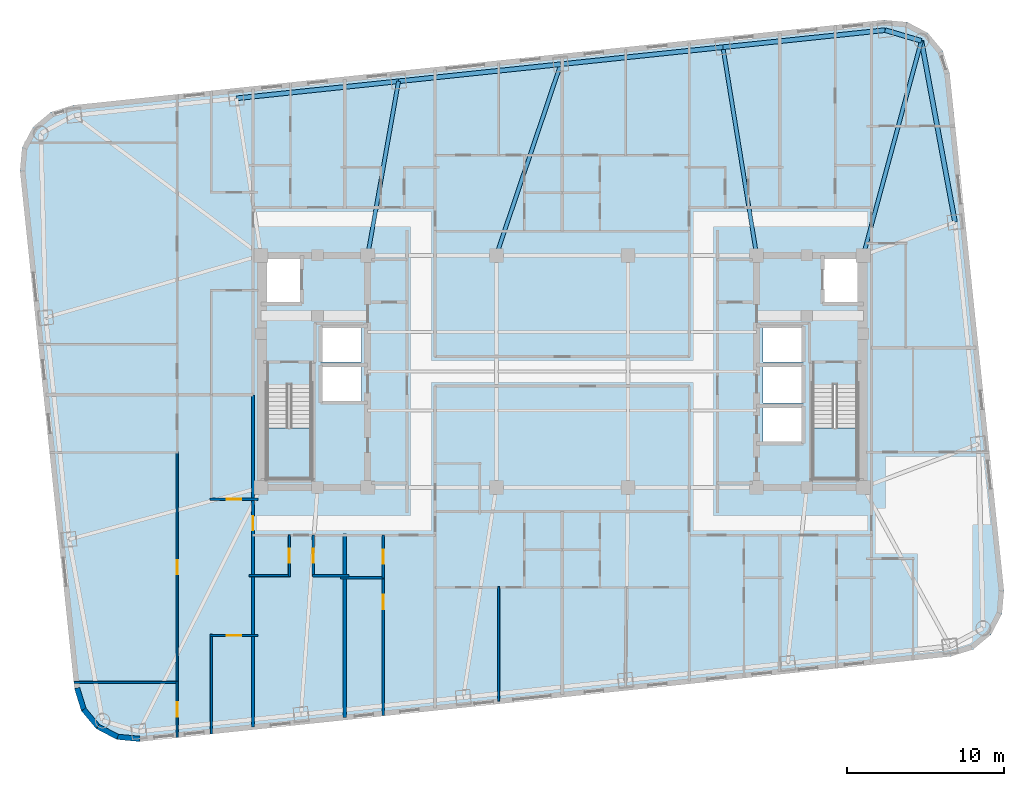
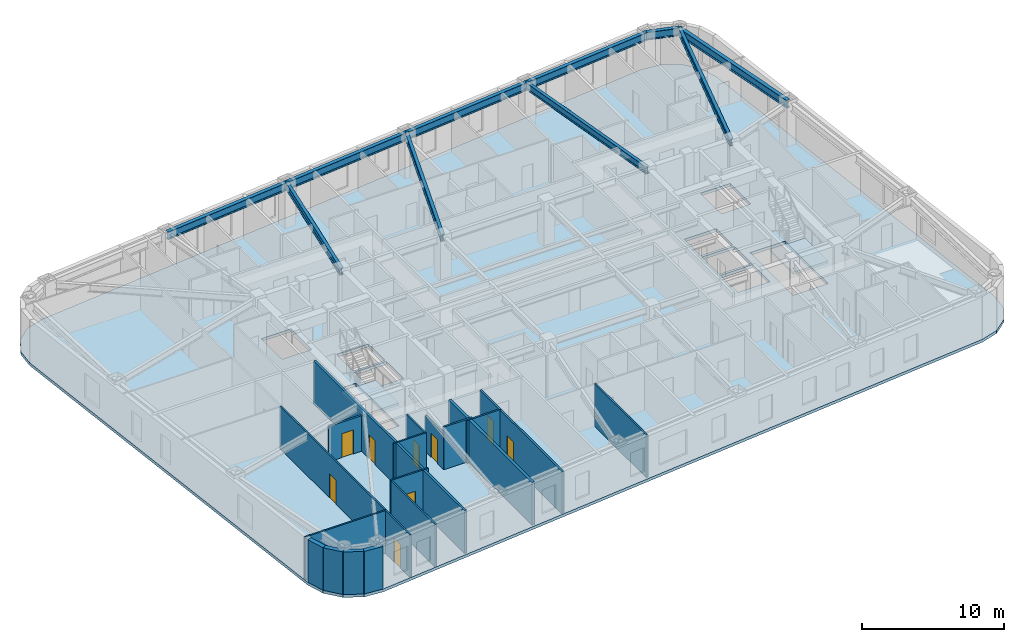
# One storey, part 2 of 12: 20 walls, 10 beams, 9 doors, 3 slabs, 9 openings, 2 elements without a shape of their own.
"""IFC4 building model written with IfcOpenShell, lengths in metres."""

import ifcopenshell
import ifcopenshell.guid

model = None  # the IFC model being written
_history = None  # IfcOwnerHistory: only IFC2X3 demands one
_inside = {}  # id of a spatial element -> (the spatial element, [elements in it])
_under = {}  # id of a project, library or spatial element -> (it, [spatial elements below it])
_declared = {}  # id of a project -> (the project, [libraries it declares])
_typed = {}  # id of a type object -> (the type object, [elements of that type])
_made_of = {}  # id of a material, layer set ... -> (it, [elements and type objects made of it])


def new_model(schema):
    """Start an empty IFC model of exactly this schema.

    Asked for "IFC4X3", IfcOpenShell would pick the latest addendum, in which some entities
    have other attributes; the version numbers below select the first issue.
    IFC2X3 requires an IfcOwnerHistory on every rooted entity: one is made here for all.
    """
    global model, _history
    if schema == "IFC4X3":
        model = ifcopenshell.file(schema_version=(4, 3, 0, 0))
    else:
        model = ifcopenshell.file(schema=schema)
    _inside.clear()
    _under.clear()
    _declared.clear()
    _typed.clear()
    _made_of.clear()
    _history = None
    if model.schema == "IFC2X3":
        org = make("IfcOrganization", Name="unknown")
        user = make(
            "IfcPersonAndOrganization",
            ThePerson=make("IfcPerson", FamilyName="unknown"),
            TheOrganization=org,
        )
        app = make(
            "IfcApplication",
            ApplicationDeveloper=org,
            Version="unknown",
            ApplicationFullName="unknown",
            ApplicationIdentifier="unknown",
        )
        _history = make(
            "IfcOwnerHistory",
            OwningUser=user,
            OwningApplication=app,
            ChangeAction="ADDED",
            CreationDate=0,
        )
    return model


def make(cls, **values):
    """One entity of the class cls with the attributes given. An attribute that is None is left unset."""
    return model.create_entity(
        cls, **{name: value for name, value in values.items() if value is not None}
    )


def rooted(cls, **values):
    """An entity with a GlobalId (a new one), such as an element, a storey or a relation."""
    return make(cls, GlobalId=ifcopenshell.guid.new(), OwnerHistory=_history, **values)


def si_unit(unit_type, name, prefix=None):
    """IfcSIUnit, for example si_unit("LENGTHUNIT", "METRE", prefix="MILLI")."""
    return make("IfcSIUnit", UnitType=unit_type, Prefix=prefix, Name=name)


def assignment(units):
    """IfcUnitAssignment: the units of a project."""
    return None if units is None else make("IfcUnitAssignment", Units=units)


def point(xyz):
    """IfcCartesianPoint."""
    return None if xyz is None else make("IfcCartesianPoint", Coordinates=xyz)


def direction(xyz):
    """IfcDirection."""
    return None if xyz is None else make("IfcDirection", DirectionRatios=xyz)


def frame(location, z_axis=None, x_axis=None):
    """IfcAxis2Placement3D, a coordinate frame: its origin and axes. An axis left out is left unset."""
    return make(
        "IfcAxis2Placement3D",
        Location=point(location),
        Axis=direction(z_axis),
        RefDirection=direction(x_axis),
    )


def frame_2d(location, x_axis=None):
    """IfcAxis2Placement2D, a coordinate frame in the plane: its origin and x axis."""
    return make(
        "IfcAxis2Placement2D", Location=point(location), RefDirection=direction(x_axis)
    )


def origin():
    """The frame at (0, 0, 0) with its axes left unset."""
    return frame((0.0, 0.0, 0.0))


def origin_2d():
    """The frame at (0, 0) in the plane with its x axis left unset."""
    return frame_2d((0.0, 0.0))


def place(relative_to, where):
    """IfcLocalPlacement: puts the frame where relative to a parent placement (None: the world)."""
    return make(
        "IfcLocalPlacement", PlacementRelTo=relative_to, RelativePlacement=where
    )


def context(
    kind, dimensions, precision=None, world=None, true_north=None, identifier=None
):
    """IfcGeometricRepresentationContext, for example the 3D "Model" context."""
    return make(
        "IfcGeometricRepresentationContext",
        ContextIdentifier=identifier,
        ContextType=kind,
        CoordinateSpaceDimension=dimensions,
        Precision=precision,
        WorldCoordinateSystem=world,
        TrueNorth=true_north,
    )


def subcontext(parent, identifier, kind, view, scale=None):
    """IfcGeometricRepresentationSubContext, for example "Body" below "Model"."""
    return make(
        "IfcGeometricRepresentationSubContext",
        ContextIdentifier=identifier,
        ContextType=kind,
        ParentContext=parent,
        TargetScale=scale,
        TargetView=view,
    )


def project(units=None, contexts=None):
    """IfcProject with its units and contexts."""
    return rooted(
        "IfcProject",
        Name="project",
        RepresentationContexts=contexts,
        UnitsInContext=assignment(units),
    )


def spatial(cls, under=None, at=None, **own):
    """A site, building, storey or space (cls), placed at a placement, below another one or the project."""
    s = rooted(cls, ObjectPlacement=at, **own)
    if under is not None:
        _under.setdefault(under.id(), (under, []))[1].append(s)
    return s


def polyline(points):
    """IfcPolyline through the points."""
    return make("IfcPolyline", Points=[point(p) for p in points])


def profile(cls, at=None, kind="AREA", **sizes):
    """A parametric profile (cls). Its sizes go by their IFC names, for example OverallWidth=200.0."""
    return make(cls, ProfileType=kind, Position=at, **sizes)


def rectangle(**sizes):
    """IfcRectangleProfileDef."""
    return profile("IfcRectangleProfileDef", **sizes)


def i_section(**sizes):
    """IfcIShapeProfileDef."""
    return profile("IfcIShapeProfileDef", **sizes)


def outline(outer, holes=None, kind="AREA"):
    """IfcArbitraryClosedProfileDef: a profile drawn as a closed curve; with holes, ...WithVoids."""
    if holes is None:
        return make("IfcArbitraryClosedProfileDef", ProfileType=kind, OuterCurve=outer)
    return make(
        "IfcArbitraryProfileDefWithVoids",
        ProfileType=kind,
        OuterCurve=outer,
        InnerCurves=holes,
    )


def extrude(swept, where, along, depth):
    """IfcExtrudedAreaSolid: the profile swept, set in the frame where, extruded along a direction by depth."""
    return make(
        "IfcExtrudedAreaSolid",
        SweptArea=swept,
        Position=where,
        ExtrudedDirection=direction(along),
        Depth=depth,
    )


def shape(context_of_items, identifier, shape_type, items):
    """IfcShapeRepresentation: the items that make up one representation, for example the "Body"."""
    return make(
        "IfcShapeRepresentation",
        ContextOfItems=context_of_items,
        RepresentationIdentifier=identifier,
        RepresentationType=shape_type,
        Items=items,
    )


def material(Name=None, Category=None):
    """IfcMaterial."""
    return make("IfcMaterial", Name=Name, Category=Category)


def layer(
    of_material, thickness, ventilated=None, Name=None, Category=None, Priority=None
):
    """IfcMaterialLayer: one layer of a wall or slab, of a material (None: an air gap)."""
    return make(
        "IfcMaterialLayer",
        Material=of_material,
        LayerThickness=thickness,
        IsVentilated=ventilated,
        Name=Name,
        Category=Category,
        Priority=Priority,
    )


def layer_set(layers, Name=None):
    """IfcMaterialLayerSet."""
    return make("IfcMaterialLayerSet", MaterialLayers=layers, LayerSetName=Name)


def material_profile(
    of_material, cross_section, Name=None, Category=None, Priority=None
):
    """IfcMaterialProfile: a cross section and its material."""
    return make(
        "IfcMaterialProfile",
        Name=Name,
        Material=of_material,
        Profile=cross_section,
        Priority=Priority,
        Category=Category,
    )


def profile_set(profiles, Name=None, composite=None):
    """IfcMaterialProfileSet."""
    return make(
        "IfcMaterialProfileSet",
        Name=Name,
        MaterialProfiles=profiles,
        CompositeProfile=composite,
    )


def made_of(thing, what):
    """Note that an element or type object is made of a material, layer set ...; save() writes the relation."""
    if what is not None:
        _made_of.setdefault(what.id(), (what, []))[1].append(thing)
    return thing


def type_object(cls, material=None, **own):
    """A type object (cls), such as IfcWallType, which elements share."""
    return made_of(rooted(cls, **own), material)


def element(
    cls,
    number,
    at=None,
    inside=None,
    cuts=None,
    type_object=None,
    material=None,
    context=None,
    identifier="Body",
    shape_type=None,
    held_by="IfcProductDefinitionShape",
    body=None,
    shapes=None,
    **own,
):
    """One element of the class cls, such as IfcWall. Its Tag is "e" and its number.

    at: its placement. inside: the storey or other place that contains it. cuts: it is an
    opening in that element (IfcRelVoidsElement). A single representation is given by context,
    identifier, shape_type and body (its items); several are given by shapes. held_by: the class
    of the entity that holds the representations. save() writes the other relations.
    """
    e = rooted(cls, Tag="e%d" % number, ObjectPlacement=at, **own)
    if body is not None:
        shapes = [shape(context, identifier, shape_type, body)]
    if shapes is not None:
        e.Representation = make(held_by, Representations=shapes)
    if inside is not None:
        _inside.setdefault(inside.id(), (inside, []))[1].append(e)
    if cuts is not None:
        rooted(
            "IfcRelVoidsElement", RelatingBuildingElement=cuts, RelatedOpeningElement=e
        )
    if type_object is not None:
        _typed.setdefault(type_object.id(), (type_object, []))[1].append(e)
    return made_of(e, material)


def fill(opening, filler):
    """IfcRelFillsElement: the door or window that sits in an opening."""
    return rooted(
        "IfcRelFillsElement",
        RelatingOpeningElement=opening,
        RelatedBuildingElement=filler,
    )


def aggregate(whole, parts):
    """IfcRelAggregates: a whole, such as a stair, and the parts it consists of."""
    return rooted("IfcRelAggregates", RelatingObject=whole, RelatedObjects=parts)


def save(model, path):
    """Write the relations noted so far, then the file.

    IfcRelAggregates (storeys below a building ...), IfcRelContainedInSpatialStructure (elements
    in a storey), IfcRelDefinesByType, IfcRelAssociatesMaterial and IfcRelDeclares: one each for
    every whole, place, type object, material and project.
    """
    for whole, parts in _under.values():
        aggregate(whole, parts)
    for where, things in _inside.values():
        rooted(
            "IfcRelContainedInSpatialStructure",
            RelatedElements=things,
            RelatingStructure=where,
        )
    for kind, things in _typed.values():
        rooted("IfcRelDefinesByType", RelatedObjects=things, RelatingType=kind)
    for what, things in _made_of.values():
        rooted("IfcRelAssociatesMaterial", RelatedObjects=things, RelatingMaterial=what)
    for by, libraries in _declared.values():
        rooted("IfcRelDeclares", RelatingContext=by, RelatedDefinitions=libraries)
    model.write(path)


model = new_model("IFC4")

# Units and contexts
model_context = context("Model", 3, precision=1e-05, world=origin(), true_north=direction((0.0, 1.0)))
body_context = subcontext(model_context, "Body", "Model", "MODEL_VIEW")
ifc_project = project(units=[si_unit("LENGTHUNIT", "METRE"), si_unit("AREAUNIT", "SQUARE_METRE"), si_unit("VOLUMEUNIT", "CUBIC_METRE"), si_unit("PLANEANGLEUNIT", "RADIAN"), si_unit("MASSUNIT", "GRAM", prefix="KILO")], contexts=[model_context])

# Site, building, storey
site_placement = place(None, origin())
site = spatial("IfcSite", under=ifc_project, at=site_placement, CompositionType="ELEMENT")
building_placement = place(site_placement, origin())
building = spatial("IfcBuilding", under=site, at=building_placement, Name="Voryun Gate Residences", CompositionType="ELEMENT")
storey_placement = place(building_placement, frame((0.0, 0.0, 159.89990234375)))
storey = spatial("IfcBuildingStorey", under=building, at=storey_placement, Name="L39", CompositionType="ELEMENT", Elevation=159.89990234375)

# Beams
ifc_material_1 = material(Name="Steel SM355", Category="steel")
ifc_material_profile_1 = material_profile(ifc_material_1, i_section(OverallWidth=0.300048828125, OverallDepth=0.679931640625, WebThickness=0.013916015625, FlangeThickness=0.02490234375, FilletRadius=0.01806640625, at=origin_2d()), Name="H-680x300x14x25")
ifc_profile_set_1 = profile_set([ifc_material_profile_1], Name="Steel SM355")
beam_type_1 = type_object("IfcBeamType", Name="BM_EXO_SPANDREL_M", PredefinedType="SPANDREL", material=ifc_profile_set_1)
beam_1_placement = place(storey_placement, frame((25.047119140625, 9.51806640625, 3.31005859375), z_axis=(-0.182267768769, 0.983248931079, 0.0), x_axis=(-0.983248931079, -0.182267768769, 0.0)))
element("IfcBeam", 1, at=beam_1_placement, inside=storey, type_object=beam_type_1, Name="BM-L39-SPAND-09", PredefinedType="SPANDREL", context=body_context, shape_type="SweptSolid", body=[
    extrude(i_section(OverallWidth=0.300048828125, OverallDepth=0.679931640625, WebThickness=0.013916015625, FlangeThickness=0.02490234375, FilletRadius=0.01806640625, at=origin_2d()), origin(), (0.0, 0.0, 1.0), 11.753662109375),
])
beam_2_placement = place(storey_placement, frame((22.90478515625, 21.074951171875, 3.31005859375), z_axis=(-0.958843048967, 0.283936625758, 0.0), x_axis=(-0.283936625758, -0.958843048967, 0.0)))
element("IfcBeam", 2, at=beam_2_placement, inside=storey, type_object=beam_type_1, Name="BM-L39-SPAND-10", PredefinedType="SPANDREL", context=body_context, shape_type="SweptSolid", body=[
    extrude(i_section(OverallWidth=0.300048828125, OverallDepth=0.679931640625, WebThickness=0.013916015625, FlangeThickness=0.02490234375, FilletRadius=0.01806640625, at=origin_2d()), origin(), (0.0, 0.0, 1.0), 2.410888671875),
])
for number, where, z_axis, x_axis, name in (
    (3, (20.593017578125, 21.759521484375, 3.31005859375), (-0.994521263116, -0.104534478571, 0.0), (0.104534478571, -0.994521263116, 0.0), "BM-L39-SPAND-11"),
    (4, (10.25, 20.67236328125, 3.31005859375), (-0.99452370336, -0.10451125994, 0.0), (0.10451125994, -0.99452370336, 0.0), "BM-L39-SPAND-12"),
    (5, (-0.093017578125, 19.58544921875, 3.31005859375), (-0.994521263116, -0.104534478571, 0.0), (0.104534478571, -0.994521263116, 0.0), "BM-L39-SPAND-13"),
    (6, (-10.43603515625, 18.498291015625, 3.31005859375), (-0.994521263116, -0.104534478571, 0.0), (0.104534478571, -0.994521263116, 0.0), "BM-L39-SPAND-14"),
):
    element("IfcBeam", number, at=place(storey_placement, frame(where, z_axis=z_axis, x_axis=x_axis)), inside=storey, type_object=beam_type_1, Name=name, PredefinedType="SPANDREL", context=body_context, shape_type="SweptSolid", body=[
        extrude(i_section(OverallWidth=0.300048828125, OverallDepth=0.679931640625, WebThickness=0.013916015625, FlangeThickness=0.02490234375, FilletRadius=0.01806640625, at=origin_2d()), origin(), (0.0, 0.0, 1.0), 10.39990234375),
    ])
ifc_material_2 = material(Name="Steel SM355", Category="steel")
ifc_material_profile_2 = material_profile(ifc_material_2, i_section(OverallWidth=0.25, OverallDepth=0.60009765625, WebThickness=0.011962890625, FlangeThickness=0.02197265625, FilletRadius=0.01806640625, at=origin_2d()), Name="H-600x250x12x22")
ifc_profile_set_2 = profile_set([ifc_material_profile_2], Name="Steel SM355")
beam_type_2 = type_object("IfcBeamType", Name="BM_GIRD_600", PredefinedType="USERDEFINED", material=ifc_profile_set_2)
beam_3_placement = place(storey_placement, frame((19.199951171875, 7.39990234375, 3.35009765625), z_axis=(0.261492735838, 0.965205443988, 0.0), x_axis=(-0.965205443988, 0.261492735838, 0.0)))
element("IfcBeam", 7, at=beam_3_placement, inside=storey, type_object=beam_type_2, Name="BM-L39-RAD-CNE", ObjectType="GIRDER", PredefinedType="USERDEFINED", context=body_context, shape_type="SweptSolid", body=[
    extrude(i_section(OverallWidth=0.25, OverallDepth=0.60009765625, WebThickness=0.011962890625, FlangeThickness=0.02197265625, FilletRadius=0.01806640625, at=origin_2d()), origin(), (0.0, 0.0, 1.0), 14.16796875),
])
beam_4_placement = place(storey_placement, frame((12.39990234375, 7.39990234375, 3.35009765625), z_axis=(-0.159898055533, 0.987133532931, 0.0), x_axis=(-0.987133532931, -0.159898055533, 0.0)))
element("IfcBeam", 8, at=beam_4_placement, inside=storey, type_object=beam_type_2, Name="BM-L39-RAD-N2", ObjectType="GIRDER", PredefinedType="USERDEFINED", context=body_context, shape_type="SweptSolid", body=[
    extrude(i_section(OverallWidth=0.25, OverallDepth=0.60009765625, WebThickness=0.011962890625, FlangeThickness=0.02197265625, FilletRadius=0.01806640625, at=origin_2d()), origin(), (0.0, 0.0, 1.0), 13.445556640625),
])
beam_5_placement = place(storey_placement, frame((-4.199951171875, 7.39990234375, 3.35009765625), z_axis=(0.319381479956, 0.947626229197, 0.0), x_axis=(-0.947626229197, 0.319381479956, 0.0)))
element("IfcBeam", 9, at=beam_5_placement, inside=storey, type_object=beam_type_2, Name="BM-L39-RAD-N3", ObjectType="GIRDER", PredefinedType="USERDEFINED", context=body_context, shape_type="SweptSolid", body=[
    extrude(i_section(OverallWidth=0.25, OverallDepth=0.60009765625, WebThickness=0.011962890625, FlangeThickness=0.02197265625, FilletRadius=0.01806640625, at=origin_2d()), origin(), (0.0, 0.0, 1.0), 12.859130859375),
])
beam_6_placement = place(storey_placement, frame((-12.39990234375, 7.39990234375, 3.35009765625), z_axis=(0.174243764839, 0.984702549207, 0.0), x_axis=(-0.984702549207, 0.174243764839, 0.0)))
element("IfcBeam", 10, at=beam_6_placement, inside=storey, type_object=beam_type_2, Name="BM-L39-RAD-N4", ObjectType="GIRDER", PredefinedType="USERDEFINED", context=body_context, shape_type="SweptSolid", body=[
    extrude(i_section(OverallWidth=0.25, OverallDepth=0.60009765625, WebThickness=0.011962890625, FlangeThickness=0.02197265625, FilletRadius=0.01806640625, at=origin_2d()), origin(), (0.0, 0.0, 1.0), 11.270751953125),
])

# Slab
ifc_material_3 = material(Name="Concrete C40/50", Category="concrete")
ifc_layer_1 = layer(ifc_material_3, 0.25, Name="SLB_RES_250")
ifc_layer_set_1 = layer_set([ifc_layer_1], Name="Concrete C40/50")
slab_type_1 = type_object("IfcSlabType", Name="SLB_RES_250", PredefinedType="FLOOR", material=ifc_layer_set_1)
slab_1_placement = place(storey_placement, frame((0.0, 0.0, -0.25)))
element("IfcSlab", 11, at=slab_1_placement, inside=storey, type_object=slab_type_1, Name="L39 Structural Floor Slab", PredefinedType="FLOOR", context=body_context, shape_type="SweptSolid", body=[
    extrude(outline(polyline([(-26.92529296875, -23.60595703125), (-28.401611328125, -23.47021484375), (-29.7138671875, -22.780029296875), (-30.661865234375, -21.639892578125), (-31.1015625, -20.22412109375), (-34.572021484375, 12.794189453125), (-34.436279296875, 14.2705078125), (-33.745849609375, 15.582763671875), (-32.60595703125, 16.53076171875), (-31.18994140625, 16.970458984375), (20.525146484375, 22.406005859375), (22.001708984375, 22.270263671875), (23.313720703125, 21.580078125), (24.261962890625, 20.43994140625), (24.70166015625, 19.02392578125), (28.171875, -13.994140625), (28.036376953125, -15.470458984375), (27.345947265625, -16.78271484375), (26.2060546875, -17.730712890625), (24.7900390625, -18.17041015625), (-26.92529296875, -23.60595703125)]), holes=[polyline([(-15.97509765625, -6.85009765625), (-15.97509765625, -0.840087890625), (-18.824951171875, -0.840087890625), (-18.824951171875, -6.85009765625), (-15.97509765625, -6.85009765625)]), polyline([(18.824951171875, -6.85009765625), (18.824951171875, -0.840087890625), (15.97509765625, -0.840087890625), (15.97509765625, -6.85009765625), (18.824951171875, -6.85009765625)]), polyline([(15.39990234375, -2.199951171875), (12.800048828125, -2.199951171875), (12.800048828125, -4.60009765625), (15.39990234375, -4.60009765625), (15.39990234375, -2.199951171875)]), polyline([(-12.800048828125, 0.39990234375), (-15.39990234375, 0.39990234375), (-15.39990234375, -2.0), (-12.800048828125, -2.0), (-12.800048828125, 0.39990234375)]), polyline([(15.39990234375, 0.39990234375), (12.800048828125, 0.39990234375), (12.800048828125, -2.0), (15.39990234375, -2.0), (15.39990234375, 0.39990234375)]), polyline([(-12.800048828125, 2.89990234375), (-15.39990234375, 2.89990234375), (-15.39990234375, 0.60009765625), (-12.800048828125, 0.60009765625), (-12.800048828125, 2.89990234375)]), polyline([(15.39990234375, 2.89990234375), (12.800048828125, 2.89990234375), (12.800048828125, 0.60009765625), (15.39990234375, 0.60009765625), (15.39990234375, 2.89990234375)]), polyline([(-16.60009765625, 4.300048828125), (-16.60009765625, 7.199951171875), (-19.0, 7.199951171875), (-19.0, 4.300048828125), (-16.60009765625, 4.300048828125)]), polyline([(19.0, 4.300048828125), (19.0, 7.199951171875), (16.60009765625, 7.199951171875), (16.60009765625, 4.300048828125), (19.0, 4.300048828125)])]), origin(), (0.0, 0.0, 1.0), 0.25),
])

# Stair, slab
ifc_material_4 = material(Name="Concrete C40/50", Category="concrete")
stair_type = type_object("IfcStairType", Name="STR_CORE_DOGLEG_1350", PredefinedType="HALF_TURN_STAIR", material=ifc_material_4)
stair_1_placement = place(storey_placement, origin())
stair_1 = element("IfcStair", 12, at=stair_1_placement, inside=storey, type_object=stair_type, Name="L39 Special Escape Stair ST-W1", PredefinedType="HALF_TURN_STAIR")
ifc_material_5 = material(Name="Concrete C40/50", Category="concrete")
ifc_layer_2 = layer(ifc_material_5, 0.199951171875, Name="SLB_STAIR_LANDING_200")
ifc_layer_set_2 = layer_set([ifc_layer_2], Name="Concrete C40/50")
slab_type_2 = type_object("IfcSlabType", Name="SLB_STAIR_LANDING_200", PredefinedType="LANDING", material=ifc_layer_set_2)
slab_2_placement = place(storey_placement, frame((0.0, 0.0, 1.75)))
slab_2 = element("IfcSlab", 13, at=slab_2_placement, type_object=slab_type_2, Name="ST-W1 landing 1", PredefinedType="LANDING", context=body_context, shape_type="SweptSolid", body=[
    extrude(outline(polyline([(-18.824951171875, -3.60009765625), (-18.824951171875, -6.85009765625), (-15.97509765625, -6.85009765625), (-15.97509765625, -3.60009765625), (-18.824951171875, -3.60009765625)])), origin(), (0.0, 0.0, 1.0), 0.2001953125),
])
aggregate(stair_1, [slab_2])

stair_2_placement = place(storey_placement, origin())
stair_2 = element("IfcStair", 14, at=stair_2_placement, inside=storey, type_object=stair_type, Name="L39 Special Escape Stair ST-E1", PredefinedType="HALF_TURN_STAIR")
slab_3_placement = place(storey_placement, frame((0.0, 0.0, 1.75)))
slab_3 = element("IfcSlab", 15, at=slab_3_placement, type_object=slab_type_2, Name="ST-E1 landing 1", PredefinedType="LANDING", context=body_context, shape_type="SweptSolid", body=[
    extrude(outline(polyline([(15.97509765625, -3.60009765625), (15.97509765625, -6.85009765625), (18.824951171875, -6.85009765625), (18.824951171875, -3.60009765625), (15.97509765625, -3.60009765625)])), origin(), (0.0, 0.0, 1.0), 0.2001953125),
])
aggregate(stair_2, [slab_3])

# Wall, opening, door
ifc_material_6 = material(Name="Gypsum acoustic fireboard")
ifc_layer_3 = layer(ifc_material_6, 0.179931640625, Name="W_CORR_RATED_180")
ifc_layer_set_3 = layer_set([ifc_layer_3], Name="Gypsum acoustic fireboard")
wall_type_1 = type_object("IfcWallType", Name="W_CORR_RATED_180", PredefinedType="PARTITIONING", material=ifc_layer_set_3)
wall_1_placement = place(storey_placement, frame((-19.719970703125, -22.677734375, 0.0), z_axis=(0.0, 0.0, 1.0), x_axis=(0.0, 1.0, 0.0)))
wall_1 = element("IfcWall", 16, at=wall_1_placement, inside=storey, type_object=wall_type_1, Name="Partition wall WP-L39-WCOR1", PredefinedType="PARTITIONING", context=body_context, shape_type="SweptSolid", body=[
    extrude(rectangle(XDim=21.177734375, YDim=0.179931640625, at=frame_2d((10.5888671875, 0.0))), origin(), (0.0, 0.0, 1.0), 3.650146484375),
])
opening_1_placement = place(wall_1_placement, frame((12.546875, 0.0, 0.0)))
opening_1 = element("IfcOpeningElement", 17, at=opening_1_placement, cuts=wall_1, Name="Opening D-INT-2", PredefinedType="OPENING", context=body_context, shape_type="SweptSolid", body=[
    extrude(rectangle(XDim=0.89990234375, YDim=2.050048828125, at=frame_2d((0.449951171875, 1.02490234375))), frame((0.0, 0.099853515625, 0.0), z_axis=(0.0, -1.0, 0.0), x_axis=(1.0, 0.0, 0.0)), (0.0, 0.0, 1.0), 0.199951171875),
])
ifc_material_7 = material(Name="Architectural oak veneer")
door_type_1 = type_object("IfcDoorType", Name="DR_INT_BATH_900", OperationType="NOTDEFINED", PredefinedType="DOOR", material=ifc_material_7)
door_1_placement = place(opening_1_placement, origin())
door_1 = element("IfcDoor", 18, at=door_1_placement, inside=storey, type_object=door_type_1, Name="Door DR-L39-WE1", OperationType="SINGLE_SWING_LEFT", OverallHeight=2.050048828125, OverallWidth=0.89990234375, PredefinedType="DOOR", context=body_context, shape_type="SweptSolid", body=[
    extrude(rectangle(XDim=0.89990234375, YDim=2.050048828125, at=frame_2d((0.449951171875, 1.02490234375))), frame((0.0, 0.02490234375, 0.0), z_axis=(0.0, -1.0, 0.0), x_axis=(1.0, 0.0, 0.0)), (0.0, 0.0, 1.0), 0.050048828125),
])
fill(opening_1, door_1)

# Walls
ifc_material_8 = material(Name="Charcoal terracotta masonry", Category="masonry")
ifc_layer_4 = layer(ifc_material_8, 0.340087890625, Name="W_EXT_TERRACOTTA_340")
ifc_layer_set_4 = layer_set([ifc_layer_4], Name="Charcoal terracotta masonry")
wall_type_2 = type_object("IfcWallType", Name="W_EXT_TERRACOTTA_340", PredefinedType="ELEMENTEDWALL", material=ifc_layer_set_4)
wall_2_placement = place(storey_placement, frame((-26.92626953125, -23.435302734375, 0.0), z_axis=(0.0, 0.0, 1.0), x_axis=(-0.995800460351, 0.091550222087, 0.0)))
element("IfcWall", 19, at=wall_2_placement, inside=storey, type_object=wall_type_2, Name="Exterior wall WEXT-L39-02", PredefinedType="ELEMENTEDWALL", context=body_context, shape_type="SweptSolid", body=[
    extrude(rectangle(XDim=1.43212890625, YDim=0.340087890625, at=frame_2d((0.716064453125, 0.0))), origin(), (0.0, 0.0, 1.0), 3.650146484375),
])
wall_3_placement = place(storey_placement, frame((-28.352294921875, -23.30419921875, 0.0), z_axis=(0.0, 0.0, 1.0), x_axis=(-0.884989312682, 0.465611336243, 0.0)))
element("IfcWall", 20, at=wall_3_placement, inside=storey, type_object=wall_type_2, Name="Exterior wall WEXT-L39-03", PredefinedType="ELEMENTEDWALL", context=body_context, shape_type="SweptSolid", body=[
    extrude(rectangle(XDim=1.415283203125, YDim=0.340087890625, at=frame_2d((0.70751953125, 0.0))), origin(), (0.0, 0.0, 1.0), 3.650146484375),
])
wall_4_placement = place(storey_placement, frame((-29.604736328125, -22.645263671875, 0.0), z_axis=(0.0, 0.0, 1.0), x_axis=(-0.639437361921, 0.768843196093, 0.0)))
element("IfcWall", 21, at=wall_4_placement, inside=storey, type_object=wall_type_2, Name="Exterior wall WEXT-L39-04", PredefinedType="ELEMENTEDWALL", context=body_context, shape_type="SweptSolid", body=[
    extrude(rectangle(XDim=1.4150390625, YDim=0.340087890625, at=frame_2d((0.70751953125, 0.0))), origin(), (0.0, 0.0, 1.0), 3.650146484375),
])
wall_5_placement = place(storey_placement, frame((-30.509521484375, -21.557373046875, 0.0), z_axis=(0.0, 0.0, 1.0), x_axis=(-0.296624409546, 0.9549942197, 0.0)))
element("IfcWall", 22, at=wall_5_placement, inside=storey, type_object=wall_type_2, Name="Exterior wall WEXT-L39-05", PredefinedType="ELEMENTEDWALL", context=body_context, shape_type="SweptSolid", body=[
    extrude(rectangle(XDim=1.43212890625, YDim=0.340087890625, at=frame_2d((0.716064453125, 0.0))), origin(), (0.0, 0.0, 1.0), 3.650146484375),
])
ifc_material_9 = material(Name="Concrete C40/50", Category="concrete")
ifc_layer_5 = layer(ifc_material_9, 0.219970703125, Name="W_PARTY_ACOUSTIC_220")
ifc_layer_set_5 = layer_set([ifc_layer_5], Name="Concrete C40/50")
wall_type_3 = type_object("IfcWallType", Name="W_PARTY_ACOUSTIC_220", PredefinedType="PARTITIONING", material=ifc_layer_set_5)
wall_6_placement = place(storey_placement, frame((-13.864990234375, -22.0625, 0.0), z_axis=(0.0, 0.0, 1.0), x_axis=(0.0, 1.0, 0.0)))
element("IfcWall", 23, at=wall_6_placement, inside=storey, type_object=wall_type_3, Name="Partition wall WP-L39-SPTY-1", PredefinedType="PARTITIONING", context=body_context, shape_type="SweptSolid", body=[
    extrude(rectangle(XDim=11.6923828125, YDim=0.219970703125, at=frame_2d((5.84619140625, 0.0))), origin(), (0.0, 0.0, 1.0), 3.650146484375),
])

# Wall, opening, door
ifc_material_10 = material(Name="Gypsum acoustic partition")
ifc_layer_6 = layer(ifc_material_10, 0.125, Name="W_UNIT_PART_125")
ifc_layer_set_6 = layer_set([ifc_layer_6], Name="Gypsum acoustic partition")
wall_type_4 = type_object("IfcWallType", Name="W_UNIT_PART_125", PredefinedType="PARTITIONING", material=ifc_layer_set_6)
wall_7_placement = place(storey_placement, frame((-17.39990234375, -13.080078125, 0.0), z_axis=(0.0, 0.0, 1.0), x_axis=(0.0, 1.0, 0.0)))
wall_7 = element("IfcWall", 24, at=wall_7_placement, inside=storey, type_object=wall_type_4, Name="Partition wall WP-L39-S1-CVK", PredefinedType="PARTITIONING", context=body_context, shape_type="SweptSolid", body=[
    extrude(rectangle(XDim=2.650146484375, YDim=0.125, at=frame_2d((1.3251953125, 0.0))), origin(), (0.0, 0.0, 1.0), 3.650146484375),
])
opening_2_placement = place(wall_7_placement, frame((0.875, 0.0, 0.0)))
opening_2 = element("IfcOpeningElement", 25, at=opening_2_placement, cuts=wall_7, Name="Opening D-INT-2", PredefinedType="OPENING", context=body_context, shape_type="SweptSolid", body=[
    extrude(rectangle(XDim=0.89990234375, YDim=2.050048828125, at=frame_2d((0.449951171875, 1.02490234375))), frame((0.0, 0.072509765625, 0.0), z_axis=(0.0, -1.0, 0.0), x_axis=(1.0, 0.0, 0.0)), (0.0, 0.0, 1.0), 0.14501953125),
])
door_2_placement = place(opening_2_placement, origin())
door_2 = element("IfcDoor", 26, at=door_2_placement, inside=storey, type_object=door_type_1, Name="Door DR-L39-S1-DK", OperationType="SINGLE_SWING_LEFT", OverallHeight=2.050048828125, OverallWidth=0.89990234375, PredefinedType="DOOR", context=body_context, shape_type="SweptSolid", body=[
    extrude(rectangle(XDim=0.89990234375, YDim=2.050048828125, at=frame_2d((0.449951171875, 1.02490234375))), frame((0.0, 0.02490234375, 0.0), z_axis=(0.0, -1.0, 0.0), x_axis=(1.0, 0.0, 0.0)), (0.0, 0.0, 1.0), 0.050048828125),
])
fill(opening_2, door_2)

# Walls
wall_8_placement = place(storey_placement, frame((-19.969970703125, -13.02001953125, 0.0), z_axis=(0.0, 0.0, 1.0), x_axis=(1.0, 0.0, 0.0)))
element("IfcWall", 27, at=wall_8_placement, inside=storey, type_object=wall_type_4, Name="Partition wall WP-L39-S1-CHK", PredefinedType="PARTITIONING", context=body_context, shape_type="SweptSolid", body=[
    extrude(rectangle(XDim=2.6298828125, YDim=0.125, at=frame_2d((1.31494140625, 0.0))), origin(), (0.0, 0.0, 1.0), 3.650146484375),
])
wall_9_placement = place(storey_placement, frame((-4.050048828125, -21.03076171875, 0.0), z_axis=(0.0, 0.0, 1.0), x_axis=(0.0, 1.0, 0.0)))
element("IfcWall", 28, at=wall_9_placement, inside=storey, type_object=wall_type_4, Name="Partition wall WP-L39-SC1-VBD", PredefinedType="PARTITIONING", context=body_context, shape_type="SweptSolid", body=[
    extrude(rectangle(XDim=7.290771484375, YDim=0.125, at=frame_2d((3.6455078125, 0.0))), origin(), (0.0, 0.0, 1.0), 3.650146484375),
])
wall_10_placement = place(storey_placement, frame((-31.122802734375, -19.8310546875, 0.0), z_axis=(0.0, 0.0, 1.0), x_axis=(1.0, 0.0, 0.0)))
element("IfcWall", 29, at=wall_10_placement, inside=storey, type_object=wall_type_4, Name="Partition wall WP-L39-W1-OH1", PredefinedType="PARTITIONING", context=body_context, shape_type="SweptSolid", body=[
    extrude(rectangle(XDim=6.65283203125, YDim=0.125, at=frame_2d((3.326416015625, 0.0))), origin(), (0.0, 0.0, 1.0), 3.650146484375),
])

# Wall, opening, door
wall_11_placement = place(storey_placement, frame((-24.550048828125, -23.336181640625, 0.0), z_axis=(0.0, 0.0, 1.0), x_axis=(0.0, 1.0, 0.0)))
wall_11 = element("IfcWall", 30, at=wall_11_placement, inside=storey, type_object=wall_type_4, Name="Partition wall WP-L39-W1-OVX1", PredefinedType="PARTITIONING", context=body_context, shape_type="SweptSolid", body=[
    extrude(rectangle(XDim=3.55517578125, YDim=0.125, at=frame_2d((1.777587890625, 0.0))), origin(), (0.0, 0.0, 1.0), 3.650146484375),
])
opening_3_placement = place(wall_11_placement, frame((1.32763671875, 0.0, 0.0)))
opening_3 = element("IfcOpeningElement", 31, at=opening_3_placement, cuts=wall_11, Name="Opening D-INT-2", PredefinedType="OPENING", context=body_context, shape_type="SweptSolid", body=[
    extrude(rectangle(XDim=0.89990234375, YDim=2.050048828125, at=frame_2d((0.449951171875, 1.02490234375))), frame((0.0, 0.072509765625, 0.0), z_axis=(0.0, -1.0, 0.0), x_axis=(1.0, 0.0, 0.0)), (0.0, 0.0, 1.0), 0.14501953125),
])
door_3_placement = place(opening_3_placement, origin())
door_3 = element("IfcDoor", 32, at=door_3_placement, inside=storey, type_object=door_type_1, Name="Door DR-L39-W1-DBD2", OperationType="SINGLE_SWING_LEFT", OverallHeight=2.050048828125, OverallWidth=0.89990234375, PredefinedType="DOOR", context=body_context, shape_type="SweptSolid", body=[
    extrude(rectangle(XDim=0.89990234375, YDim=2.050048828125, at=frame_2d((0.449951171875, 1.02490234375))), frame((0.0, 0.02490234375, 0.0), z_axis=(0.0, -1.0, 0.0), x_axis=(1.0, 0.0, 0.0)), (0.0, 0.0, 1.0), 0.050048828125),
])
fill(opening_3, door_3)

wall_12_placement = place(storey_placement, frame((-24.550048828125, -19.881103515625, 0.0), z_axis=(0.0, 0.0, 1.0), x_axis=(0.0, 1.0, 0.0)))
wall_12 = element("IfcWall", 33, at=wall_12_placement, inside=storey, type_object=wall_type_4, Name="Partition wall WP-L39-W1-OVX2", PredefinedType="PARTITIONING", context=body_context, shape_type="SweptSolid", body=[
    extrude(rectangle(XDim=14.760009765625, YDim=0.125, at=frame_2d((7.3798828125, 0.0))), origin(), (0.0, 0.0, 1.0), 3.650146484375),
])
opening_4_placement = place(wall_12_placement, frame((6.929931640625, 0.0, 0.0)))
opening_4 = element("IfcOpeningElement", 34, at=opening_4_placement, cuts=wall_12, Name="Opening D-INT-2", PredefinedType="OPENING", context=body_context, shape_type="SweptSolid", body=[
    extrude(rectangle(XDim=0.89990234375, YDim=2.050048828125, at=frame_2d((0.449951171875, 1.02490234375))), frame((0.0, 0.072509765625, 0.0), z_axis=(0.0, -1.0, 0.0), x_axis=(1.0, 0.0, 0.0)), (0.0, 0.0, 1.0), 0.14501953125),
])
door_4_placement = place(opening_4_placement, origin())
door_4 = element("IfcDoor", 35, at=door_4_placement, inside=storey, type_object=door_type_1, Name="Door DR-L39-W1-DSTD", OperationType="SINGLE_SWING_RIGHT", OverallHeight=2.050048828125, OverallWidth=0.89990234375, PredefinedType="DOOR", context=body_context, shape_type="SweptSolid", body=[
    extrude(rectangle(XDim=0.89990234375, YDim=2.050048828125, at=frame_2d((0.449951171875, 1.02490234375))), frame((0.0, 0.02490234375, 0.0), z_axis=(0.0, -1.0, 0.0), x_axis=(1.0, 0.0, 0.0)), (0.0, 0.0, 1.0), 0.050048828125),
])
fill(opening_4, door_4)

wall_13_placement = place(storey_placement, frame((-22.449951171875, -16.842041015625, 0.0), z_axis=(0.0, 0.0, 1.0), x_axis=(1.0, 0.0, 0.0)))
wall_13 = element("IfcWall", 36, at=wall_13_placement, inside=storey, type_object=wall_type_4, Name="Partition wall WP-L39-W1-IKA", PredefinedType="PARTITIONING", context=body_context, shape_type="SweptSolid", body=[
    extrude(rectangle(XDim=3.050048828125, YDim=0.125, at=frame_2d((1.52490234375, 0.0))), origin(), (0.0, 0.0, 1.0), 3.650146484375),
])
opening_5_placement = place(wall_13_placement, frame((1.050048828125, 0.0, 0.0)))
opening_5 = element("IfcOpeningElement", 37, at=opening_5_placement, cuts=wall_13, Name="Opening D-INT-1", PredefinedType="OPENING", context=body_context, shape_type="SweptSolid", body=[
    extrude(rectangle(XDim=0.949951171875, YDim=2.050048828125, at=frame_2d((0.47509765625, 1.02490234375))), frame((0.0, 0.072509765625, 0.0), z_axis=(0.0, -1.0, 0.0), x_axis=(1.0, 0.0, 0.0)), (0.0, 0.0, 1.0), 0.14501953125),
])
ifc_material_11 = material(Name="Architectural oak veneer")
door_type_2 = type_object("IfcDoorType", Name="DR_INT_ROOM_950", OperationType="NOTDEFINED", PredefinedType="DOOR", material=ifc_material_11)
door_5_placement = place(opening_5_placement, origin())
door_5 = element("IfcDoor", 38, at=door_5_placement, inside=storey, type_object=door_type_2, Name="Door DR-L39-W1-DK", OperationType="SINGLE_SWING_LEFT", OverallHeight=2.050048828125, OverallWidth=0.949951171875, PredefinedType="DOOR", context=body_context, shape_type="SweptSolid", body=[
    extrude(rectangle(XDim=0.949951171875, YDim=2.050048828125, at=frame_2d((0.47509765625, 1.02490234375))), frame((0.0, 0.02490234375, 0.0), z_axis=(0.0, -1.0, 0.0), x_axis=(1.0, 0.0, 0.0)), (0.0, 0.0, 1.0), 0.050048828125),
])
fill(opening_5, door_5)

# Wall
wall_14_placement = place(storey_placement, frame((-22.3701171875, -23.107177734375, 0.0), z_axis=(0.0, 0.0, 1.0), x_axis=(0.0, 1.0, 0.0)))
element("IfcWall", 39, at=wall_14_placement, inside=storey, type_object=wall_type_4, Name="Partition wall WP-L39-W1-VTA", PredefinedType="PARTITIONING", context=body_context, shape_type="SweptSolid", body=[
    extrude(rectangle(XDim=6.34521484375, YDim=0.125, at=frame_2d((3.172607421875, 0.0))), origin(), (0.0, 0.0, 1.0), 3.650146484375),
])

# Wall, opening, door
ifc_material_12 = material(Name="Gypsum moisture-resistant partition")
ifc_layer_7 = layer(ifc_material_12, 0.14990234375, Name="W_WET_PLUMB_150")
ifc_layer_set_7 = layer_set([ifc_layer_7], Name="Gypsum moisture-resistant partition")
wall_type_5 = type_object("IfcWallType", Name="W_WET_PLUMB_150", PredefinedType="PLUMBINGWALL", material=ifc_layer_set_7)
wall_15_placement = place(storey_placement, frame((-15.8720703125, -13.080078125, 0.0), z_axis=(0.0, 0.0, 1.0), x_axis=(0.0, 1.0, 0.0)))
wall_15 = element("IfcWall", 40, at=wall_15_placement, inside=storey, type_object=wall_type_5, Name="Partition wall WP-L39-S1-CVB", PredefinedType="PLUMBINGWALL", context=body_context, shape_type="SweptSolid", body=[
    extrude(rectangle(XDim=2.650146484375, YDim=0.14990234375, at=frame_2d((1.3251953125, 0.0))), origin(), (0.0, 0.0, 1.0), 3.0400390625),
])
opening_6_placement = place(wall_15_placement, frame((0.875, 0.0, 0.0)))
opening_6 = element("IfcOpeningElement", 41, at=opening_6_placement, cuts=wall_15, Name="Opening D-INT-2", PredefinedType="OPENING", context=body_context, shape_type="SweptSolid", body=[
    extrude(rectangle(XDim=0.89990234375, YDim=2.050048828125, at=frame_2d((0.449951171875, 1.02490234375))), frame((0.0, 0.0849609375, 0.0), z_axis=(0.0, -1.0, 0.0), x_axis=(1.0, 0.0, 0.0)), (0.0, 0.0, 1.0), 0.169921875),
])
door_6_placement = place(opening_6_placement, origin())
door_6 = element("IfcDoor", 42, at=door_6_placement, inside=storey, type_object=door_type_1, Name="Door DR-L39-S1-DB", OperationType="SINGLE_SWING_RIGHT", OverallHeight=2.050048828125, OverallWidth=0.89990234375, PredefinedType="DOOR", context=body_context, shape_type="SweptSolid", body=[
    extrude(rectangle(XDim=0.89990234375, YDim=2.050048828125, at=frame_2d((0.449951171875, 1.02490234375))), frame((0.0, 0.02490234375, 0.0), z_axis=(0.0, -1.0, 0.0), x_axis=(1.0, 0.0, 0.0)), (0.0, 0.0, 1.0), 0.050048828125),
])
fill(opening_6, door_6)

# Walls
wall_16_placement = place(storey_placement, frame((-15.931884765625, -13.02001953125, 0.0), z_axis=(0.0, 0.0, 1.0), x_axis=(1.0, 0.0, 0.0)))
element("IfcWall", 43, at=wall_16_placement, inside=storey, type_object=wall_type_5, Name="Partition wall WP-L39-S1-CHB", PredefinedType="PLUMBINGWALL", context=body_context, shape_type="SweptSolid", body=[
    extrude(rectangle(XDim=2.326904296875, YDim=0.14990234375, at=frame_2d((1.16357421875, 0.0))), origin(), (0.0, 0.0, 1.0), 3.650146484375),
])
wall_17_placement = place(storey_placement, frame((-14.125, -13.14990234375, 0.0), z_axis=(0.0, 0.0, 1.0), x_axis=(1.0, 0.0, 0.0)))
element("IfcWall", 44, at=wall_17_placement, inside=storey, type_object=wall_type_5, Name="Partition wall WP-L39-S2-SKB", PredefinedType="PLUMBINGWALL", context=body_context, shape_type="SweptSolid", body=[
    extrude(rectangle(XDim=2.802001953125, YDim=0.14990234375, at=frame_2d((1.40087890625, 0.0))), origin(), (0.0, 0.0, 1.0), 3.650146484375),
])

# Wall, opening, door
wall_18_placement = place(storey_placement, frame((-11.403076171875, -21.954345703125, 0.0), z_axis=(0.0, 0.0, 1.0), x_axis=(0.0, 1.0, 0.0)))
wall_18 = element("IfcWall", 45, at=wall_18_placement, inside=storey, type_object=wall_type_5, Name="Partition wall WP-L39-S2-SVT1", PredefinedType="PLUMBINGWALL", context=body_context, shape_type="SweptSolid", body=[
    extrude(rectangle(XDim=8.84423828125, YDim=0.14990234375, at=frame_2d((4.422119140625, 0.0))), origin(), (0.0, 0.0, 1.0), 3.650146484375),
])
opening_7_placement = place(wall_18_placement, frame((6.802490234375, 0.0, 0.0)))
opening_7 = element("IfcOpeningElement", 46, at=opening_7_placement, cuts=wall_18, Name="Opening D-INT-2", PredefinedType="OPENING", context=body_context, shape_type="SweptSolid", body=[
    extrude(rectangle(XDim=0.89990234375, YDim=2.050048828125, at=frame_2d((0.449951171875, 1.02490234375))), frame((0.0, 0.0849609375, 0.0), z_axis=(0.0, -1.0, 0.0), x_axis=(1.0, 0.0, 0.0)), (0.0, 0.0, 1.0), 0.169921875),
])
door_7_placement = place(opening_7_placement, origin())
door_7 = element("IfcDoor", 47, at=door_7_placement, inside=storey, type_object=door_type_1, Name="Door DR-L39-S2-DK", OperationType="SINGLE_SWING_LEFT", OverallHeight=2.050048828125, OverallWidth=0.89990234375, PredefinedType="DOOR", context=body_context, shape_type="SweptSolid", body=[
    extrude(rectangle(XDim=0.89990234375, YDim=2.050048828125, at=frame_2d((0.449951171875, 1.02490234375))), frame((0.0, 0.02490234375, 0.0), z_axis=(0.0, -1.0, 0.0), x_axis=(1.0, 0.0, 0.0)), (0.0, 0.0, 1.0), 0.050048828125),
])
fill(opening_7, door_7)

wall_19_placement = place(storey_placement, frame((-11.403076171875, -13.18994140625, 0.0), z_axis=(0.0, 0.0, 1.0), x_axis=(0.0, 1.0, 0.0)))
wall_19 = element("IfcWall", 48, at=wall_19_placement, inside=storey, type_object=wall_type_5, Name="Partition wall WP-L39-S2-SVT2", PredefinedType="PLUMBINGWALL", context=body_context, shape_type="SweptSolid", body=[
    extrude(rectangle(XDim=2.760009765625, YDim=0.14990234375, at=frame_2d((1.3798828125, 0.0))), origin(), (0.0, 0.0, 1.0), 3.650146484375),
])
opening_8_placement = place(wall_19_placement, frame((0.929931640625, 0.0, 0.0)))
opening_8 = element("IfcOpeningElement", 49, at=opening_8_placement, cuts=wall_19, Name="Opening D-INT-2", PredefinedType="OPENING", context=body_context, shape_type="SweptSolid", body=[
    extrude(rectangle(XDim=0.89990234375, YDim=2.050048828125, at=frame_2d((0.449951171875, 1.02490234375))), frame((0.0, 0.0849609375, 0.0), z_axis=(0.0, -1.0, 0.0), x_axis=(1.0, 0.0, 0.0)), (0.0, 0.0, 1.0), 0.169921875),
])
door_8_placement = place(opening_8_placement, origin())
door_8 = element("IfcDoor", 50, at=door_8_placement, inside=storey, type_object=door_type_1, Name="Door DR-L39-S2-DB", OperationType="SINGLE_SWING_RIGHT", OverallHeight=2.050048828125, OverallWidth=0.89990234375, PredefinedType="DOOR", context=body_context, shape_type="SweptSolid", body=[
    extrude(rectangle(XDim=0.89990234375, YDim=2.050048828125, at=frame_2d((0.449951171875, 1.02490234375))), frame((0.0, 0.02490234375, 0.0), z_axis=(0.0, -1.0, 0.0), x_axis=(1.0, 0.0, 0.0)), (0.0, 0.0, 1.0), 0.050048828125),
])
fill(opening_8, door_8)

wall_20_placement = place(storey_placement, frame((-22.449951171875, -8.159912109375, 0.0), z_axis=(0.0, 0.0, 1.0), x_axis=(1.0, 0.0, 0.0)))
wall_20 = element("IfcWall", 51, at=wall_20_placement, inside=storey, type_object=wall_type_5, Name="Partition wall WP-L39-W1-IBB", PredefinedType="PLUMBINGWALL", context=body_context, shape_type="SweptSolid", body=[
    extrude(rectangle(XDim=3.050048828125, YDim=0.14990234375, at=frame_2d((1.52490234375, 0.0))), origin(), (0.0, 0.0, 1.0), 3.0400390625),
])
opening_9_placement = place(wall_20_placement, frame((1.074951171875, 0.0, 0.0)))
opening_9 = element("IfcOpeningElement", 52, at=opening_9_placement, cuts=wall_20, Name="Opening D-INT-2", PredefinedType="OPENING", context=body_context, shape_type="SweptSolid", body=[
    extrude(rectangle(XDim=0.89990234375, YDim=2.050048828125, at=frame_2d((0.449951171875, 1.02490234375))), frame((0.0, 0.0849609375, 0.0), z_axis=(0.0, -1.0, 0.0), x_axis=(1.0, 0.0, 0.0)), (0.0, 0.0, 1.0), 0.169921875),
])
door_9_placement = place(opening_9_placement, origin())
door_9 = element("IfcDoor", 53, at=door_9_placement, inside=storey, type_object=door_type_1, Name="Door DR-L39-W1-DB", OperationType="SINGLE_SWING_RIGHT", OverallHeight=2.050048828125, OverallWidth=0.89990234375, PredefinedType="DOOR", context=body_context, shape_type="SweptSolid", body=[
    extrude(rectangle(XDim=0.89990234375, YDim=2.050048828125, at=frame_2d((0.449951171875, 1.02490234375))), frame((0.0, 0.02490234375, 0.0), z_axis=(0.0, -1.0, 0.0), x_axis=(1.0, 0.0, 0.0)), (0.0, 0.0, 1.0), 0.050048828125),
])
fill(opening_9, door_9)

save(model, "model.ifc")
